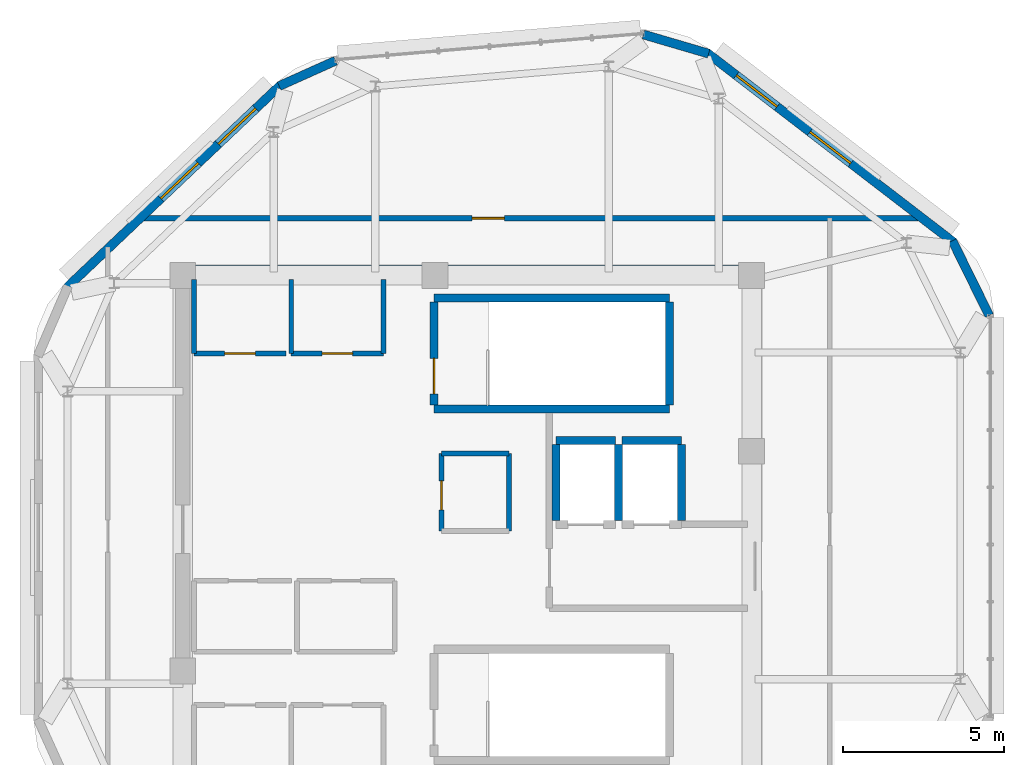
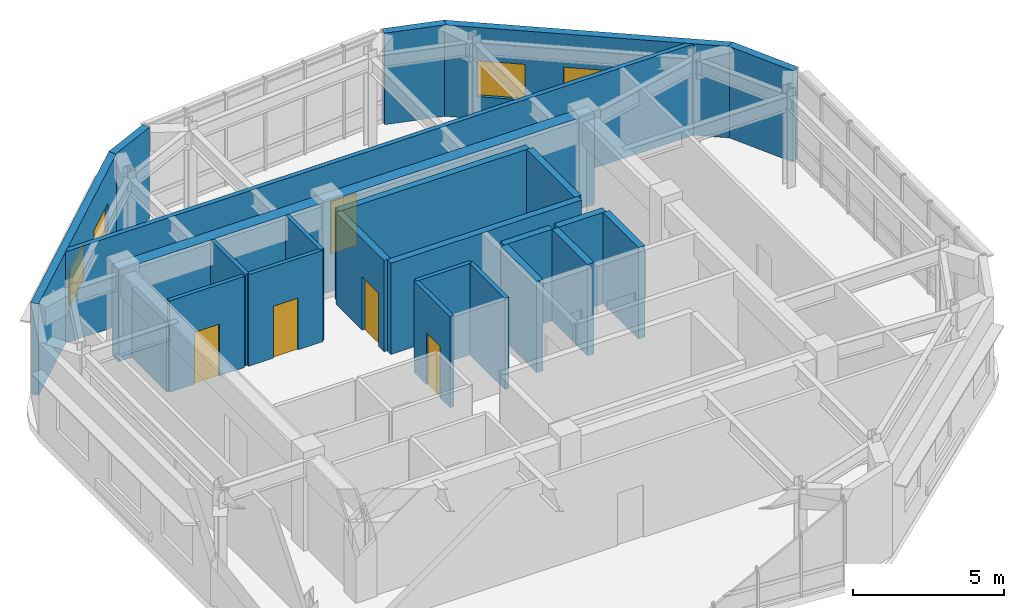
# One storey, part 12 of 13: 24 walls, 5 doors, 4 windows, 9 openings.
"""IFC4 building model written with IfcOpenShell, lengths in metres."""

from ifc_helpers import new_model, si_unit, direction, frame, frame_2d, origin, place, context, subcontext, project, spatial, rectangle, extrude, material, layer, layer_set, type_object, element, fill, save


model = new_model("IFC4")

# Units and contexts
model_context = context("Model", 3, precision=1e-05, world=origin(), true_north=direction((0.0, 1.0)))
body_context = subcontext(model_context, "Body", "Model", "MODEL_VIEW")
ifc_project = project(units=[si_unit("LENGTHUNIT", "METRE"), si_unit("AREAUNIT", "SQUARE_METRE"), si_unit("VOLUMEUNIT", "CUBIC_METRE"), si_unit("PLANEANGLEUNIT", "RADIAN"), si_unit("MASSUNIT", "GRAM", prefix="KILO")], contexts=[model_context])

# Site, building, storey
site_placement = place(None, origin())
site = spatial("IfcSite", under=ifc_project, at=site_placement, CompositionType="ELEMENT")
building_placement = place(site_placement, origin())
building = spatial("IfcBuilding", under=site, at=building_placement, Name="Zulverin Broadcast Headquarters", CompositionType="ELEMENT")
storey_placement = place(building_placement, frame((0.0, 0.0, 333.39990234375)))
storey = spatial("IfcBuildingStorey", under=building, at=storey_placement, Name="C6", CompositionType="ELEMENT", Elevation=333.39990234375)

# Wall
ifc_material_1 = material(Name="Concrete C50/60", Category="concrete")
ifc_layer_1 = layer(ifc_material_1, 0.449951171875, Name="Concrete C50/60", Category="concrete")
ifc_layer_set_1 = layer_set([ifc_layer_1], Name="Concrete C50/60")
wall_type_1 = type_object("IfcWallType", Name="WL-CORE-450", PredefinedType="SHEAR", material=ifc_layer_set_1)
wall_1_placement = place(storey_placement, frame((30.39990234375, 33.175048828125, 0.0), z_axis=(0.0, 0.0, 1.0), x_axis=(1.0, 0.0, 0.0)))
element("IfcWall", 1, at=wall_1_placement, inside=storey, type_object=wall_type_1, Name="C6 Core North Shear Wall", PredefinedType="SHEAR", context=body_context, shape_type="SweptSolid", body=[
    extrude(rectangle(XDim=18.2001953125, YDim=0.449951171875, at=frame_2d((9.10009765625, 0.0))), origin(), (0.0, 0.0, 1.0), 3.7001953125),
])

# Wall, openings, windows
ifc_material_2 = material(Name="Insulated pale-metal clad concrete spandrel C40/50", Category="concrete")
ifc_layer_2 = layer(ifc_material_2, 0.280029296875, Name="Insulated pale-metal clad concrete spandrel C40/50", Category="concrete")
ifc_layer_set_2 = layer_set([ifc_layer_2], Name="Insulated pale-metal clad concrete spandrel C40/50")
wall_type_2 = type_object("IfcWallType", Name="WL-EXT-280", PredefinedType="STANDARD", material=ifc_layer_set_2)
wall_2_placement = place(storey_placement, frame((54.542724609375, 34.101806640625, 0.0), z_axis=(0.0, 0.0, 1.0), x_axis=(-0.792926835332, 0.609316858302, 0.0)))
wall_2 = element("IfcWall", 2, at=wall_2_placement, inside=storey, type_object=wall_type_2, Name="C6 Pale-Metal Clad Spandrel Wall 4", PredefinedType="STANDARD", context=body_context, shape_type="SweptSolid", body=[
    extrude(rectangle(XDim=9.646728515625, YDim=0.280029296875, at=frame_2d((4.8232421875, 0.0))), origin(), (0.0, 0.0, 1.0), 3.7001953125),
])
opening_1_placement = place(wall_2_placement, frame((4.0234375, 0.0, 0.89990234375)))
opening_1 = element("IfcOpeningElement", 3, at=opening_1_placement, cuts=wall_2, Name="Opening W-C6-E41", PredefinedType="OPENING", context=body_context, shape_type="SweptSolid", body=[
    extrude(rectangle(XDim=1.60009765625, YDim=1.449951171875, at=frame_2d((0.800048828125, 0.72509765625))), frame((0.0, 0.14990234375, 0.0), z_axis=(0.0, -1.0, 0.0), x_axis=(1.0, 0.0, 0.0)), (0.0, 0.0, 1.0), 0.300048828125),
])
opening_2_placement = place(wall_2_placement, frame((6.90576171875, 0.0, 0.89990234375)))
opening_2 = element("IfcOpeningElement", 4, at=opening_2_placement, cuts=wall_2, Name="Opening W-C6-E42", PredefinedType="OPENING", context=body_context, shape_type="SweptSolid", body=[
    extrude(rectangle(XDim=1.60009765625, YDim=1.449951171875, at=frame_2d((0.800048828125, 0.72509765625))), frame((0.0, 0.14990234375, 0.0), z_axis=(0.0, -1.0, 0.0), x_axis=(1.0, 0.0, 0.0)), (0.0, 0.0, 1.0), 0.300048828125),
])
ifc_material_3 = material(Name="Pale anodized aluminium frame with solar-control low-E double glazing", Category="aluminium")
window_type = type_object("IfcWindowType", Name="WIN-CRN-1600", PartitioningType="SINGLE_PANEL", PredefinedType="WINDOW", material=ifc_material_3)
window_1_placement = place(opening_1_placement, origin())
window_1 = element("IfcWindow", 5, at=window_1_placement, inside=storey, type_object=window_type, Name="C6 Ribbon Glazing Window 4 1", OverallHeight=1.449951171875, OverallWidth=1.60009765625, PartitioningType="SINGLE_PANEL", PredefinedType="WINDOW", context=body_context, shape_type="SweptSolid", body=[
    extrude(rectangle(XDim=1.60009765625, YDim=1.449951171875, at=frame_2d((0.800048828125, 0.72509765625))), frame((0.0, 0.030029296875, 0.0), z_axis=(0.0, -1.0, 0.0), x_axis=(1.0, 0.0, 0.0)), (0.0, 0.0, 1.0), 0.06005859375),
])
fill(opening_1, window_1)
window_2_placement = place(opening_2_placement, origin())
window_2 = element("IfcWindow", 6, at=window_2_placement, inside=storey, type_object=window_type, Name="C6 Ribbon Glazing Window 4 2", OverallHeight=1.449951171875, OverallWidth=1.60009765625, PartitioningType="SINGLE_PANEL", PredefinedType="WINDOW", context=body_context, shape_type="SweptSolid", body=[
    extrude(rectangle(XDim=1.60009765625, YDim=1.449951171875, at=frame_2d((0.800048828125, 0.72509765625))), frame((0.0, 0.030029296875, 0.0), z_axis=(0.0, -1.0, 0.0), x_axis=(1.0, 0.0, 0.0)), (0.0, 0.0, 1.0), 0.06005859375),
])
fill(opening_2, window_2)

wall_3_placement = place(storey_placement, frame((33.654052734375, 38.97607421875, 0.0), z_axis=(0.0, 0.0, 1.0), x_axis=(-0.72588023988, -0.687821108539, 0.0)))
wall_3 = element("IfcWall", 7, at=wall_3_placement, inside=storey, type_object=wall_type_2, Name="C6 Pale-Metal Clad Spandrel Wall 6", PredefinedType="STANDARD", context=body_context, shape_type="SweptSolid", body=[
    extrude(rectangle(XDim=9.121826171875, YDim=0.280029296875, at=frame_2d((4.56103515625, 0.0))), origin(), (0.0, 0.0, 1.0), 3.7001953125),
])
opening_3_placement = place(wall_3_placement, frame((1.0537109375, 0.0, 0.89990234375)))
opening_3 = element("IfcOpeningElement", 8, at=opening_3_placement, cuts=wall_3, Name="Opening W-C6-E61", PredefinedType="OPENING", context=body_context, shape_type="SweptSolid", body=[
    extrude(rectangle(XDim=1.60009765625, YDim=1.449951171875, at=frame_2d((0.800048828125, 0.72509765625))), frame((0.0, 0.14990234375, 0.0), z_axis=(0.0, -1.0, 0.0), x_axis=(1.0, 0.0, 0.0)), (0.0, 0.0, 1.0), 0.300048828125),
])
opening_4_placement = place(wall_3_placement, frame((3.510986328125, 0.0, 0.89990234375)))
opening_4 = element("IfcOpeningElement", 9, at=opening_4_placement, cuts=wall_3, Name="Opening W-C6-E62", PredefinedType="OPENING", context=body_context, shape_type="SweptSolid", body=[
    extrude(rectangle(XDim=1.60009765625, YDim=1.449951171875, at=frame_2d((0.800048828125, 0.72509765625))), frame((0.0, 0.14990234375, 0.0), z_axis=(0.0, -1.0, 0.0), x_axis=(1.0, 0.0, 0.0)), (0.0, 0.0, 1.0), 0.300048828125),
])
window_3_placement = place(opening_3_placement, origin())
window_3 = element("IfcWindow", 10, at=window_3_placement, inside=storey, type_object=window_type, Name="C6 Ribbon Glazing Window 6 1", OverallHeight=1.449951171875, OverallWidth=1.60009765625, PartitioningType="SINGLE_PANEL", PredefinedType="WINDOW", context=body_context, shape_type="SweptSolid", body=[
    extrude(rectangle(XDim=1.60009765625, YDim=1.449951171875, at=frame_2d((0.800048828125, 0.72509765625))), frame((0.0, 0.030029296875, 0.0), z_axis=(0.0, -1.0, 0.0), x_axis=(1.0, 0.0, 0.0)), (0.0, 0.0, 1.0), 0.06005859375),
])
fill(opening_3, window_3)
window_4_placement = place(opening_4_placement, origin())
window_4 = element("IfcWindow", 11, at=window_4_placement, inside=storey, type_object=window_type, Name="C6 Ribbon Glazing Window 6 2", OverallHeight=1.449951171875, OverallWidth=1.60009765625, PartitioningType="SINGLE_PANEL", PredefinedType="WINDOW", context=body_context, shape_type="SweptSolid", body=[
    extrude(rectangle(XDim=1.60009765625, YDim=1.449951171875, at=frame_2d((0.800048828125, 0.72509765625))), frame((0.0, 0.030029296875, 0.0), z_axis=(0.0, -1.0, 0.0), x_axis=(1.0, 0.0, 0.0)), (0.0, 0.0, 1.0), 0.06005859375),
])
fill(opening_4, window_4)

# Walls
wall_4_placement = place(storey_placement, frame((55.645751953125, 31.830322265625, 0.0), z_axis=(0.0, 0.0, 1.0), x_axis=(-0.441958643377, 0.89703542714, 0.0)))
element("IfcWall", 12, at=wall_4_placement, inside=storey, type_object=wall_type_2, Name="C6 Wind-Shaped Corner Spandrel Wall 3-1", PredefinedType="STANDARD", context=body_context, shape_type="SweptSolid", body=[
    extrude(rectangle(XDim=2.5869140625, YDim=0.280029296875, at=frame_2d((1.29345703125, 0.0))), origin(), (0.0, 0.0, 1.0), 3.7001953125),
])
wall_5_placement = place(storey_placement, frame((46.939453125, 39.95654296875, 0.0), z_axis=(0.0, 0.0, 1.0), x_axis=(-0.959642034911, 0.28122440298, 0.0)))
element("IfcWall", 13, at=wall_5_placement, inside=storey, type_object=wall_type_2, Name="C6 Wind-Shaped Corner Spandrel Wall 4-1", PredefinedType="STANDARD", context=body_context, shape_type="SweptSolid", body=[
    extrude(rectangle(XDim=2.105224609375, YDim=0.280029296875, at=frame_2d((1.052734375, 0.0))), origin(), (0.0, 0.0, 1.0), 3.7001953125),
])
wall_6_placement = place(storey_placement, frame((35.364501953125, 39.73486328125, 0.0), z_axis=(0.0, 0.0, 1.0), x_axis=(-0.912383094529, -0.409337377744, 0.0)))
element("IfcWall", 14, at=wall_6_placement, inside=storey, type_object=wall_type_2, Name="C6 Wind-Shaped Corner Spandrel Wall 5-1", PredefinedType="STANDARD", context=body_context, shape_type="SweptSolid", body=[
    extrude(rectangle(XDim=1.91748046875, YDim=0.280029296875, at=frame_2d((0.958740234375, 0.0))), origin(), (0.0, 0.0, 1.0), 3.7001953125),
])

# Wall, opening, door
ifc_material_4 = material(Name="Fire-rated gypsum stud partition", Category="gypsum")
ifc_layer_3 = layer(ifc_material_4, 0.14990234375, Name="Fire-rated gypsum stud partition", Category="gypsum")
ifc_layer_set_3 = layer_set([ifc_layer_3], Name="Fire-rated gypsum stud partition")
wall_type_3 = type_object("IfcWallType", Name="WL-PART-150", PredefinedType="PARTITIONING", material=ifc_layer_set_3)
wall_7_placement = place(storey_placement, frame((30.969970703125, 30.64990234375, 0.0), z_axis=(0.0, 0.0, 1.0), x_axis=(1.0, 0.0, 0.0)))
wall_7 = element("IfcWall", 15, at=wall_7_placement, inside=storey, type_object=wall_type_3, Name="C6 Core Male WC Front Wall", PredefinedType="PARTITIONING", context=body_context, shape_type="SweptSolid", body=[
    extrude(rectangle(XDim=2.860107421875, YDim=0.14990234375, at=frame_2d((1.43017578125, 0.0))), origin(), (0.0, 0.0, 1.0), 3.7001953125),
])
opening_5_placement = place(wall_7_placement, frame((0.955078125, 0.0, 0.0)))
opening_5 = element("IfcOpeningElement", 16, at=opening_5_placement, cuts=wall_7, Name="Opening D-C6-NC1", PredefinedType="OPENING", context=body_context, shape_type="SweptSolid", body=[
    extrude(rectangle(XDim=0.949951171875, YDim=2.10009765625, at=frame_2d((0.47509765625, 1.050048828125))), frame((0.0, 0.0849609375, 0.0), z_axis=(0.0, -1.0, 0.0), x_axis=(1.0, 0.0, 0.0)), (0.0, 0.0, 1.0), 0.169921875),
])
ifc_material_5 = material(Name="Fire-rated moisture-resistant laminate leaf", Category="wood")
door_type_1 = type_object("IfcDoorType", Name="DR-WC-950", OperationType="SINGLE_SWING_LEFT", PredefinedType="DOOR", material=ifc_material_5)
door_1_placement = place(opening_5_placement, origin())
door_1 = element("IfcDoor", 17, at=door_1_placement, inside=storey, type_object=door_type_1, Name="C6 Male WC Door", OperationType="SINGLE_SWING_RIGHT", OverallHeight=2.10009765625, OverallWidth=0.949951171875, PredefinedType="DOOR", context=body_context, shape_type="SweptSolid", body=[
    extrude(rectangle(XDim=0.949951171875, YDim=2.10009765625, at=frame_2d((0.47509765625, 1.050048828125))), frame((0.0, 0.02490234375, 0.0), z_axis=(0.0, -1.0, 0.0), x_axis=(1.0, 0.0, 0.0)), (0.0, 0.0, 1.0), 0.050048828125),
])
fill(opening_5, door_1)

# Wall
wall_8_placement = place(storey_placement, frame((30.969970703125, 30.64990234375, 0.0), z_axis=(0.0, 0.0, 1.0), x_axis=(0.0, 1.0, 0.0)))
element("IfcWall", 18, at=wall_8_placement, inside=storey, type_object=wall_type_3, Name="C6 Core Male WC West Wall", PredefinedType="PARTITIONING", context=body_context, shape_type="SweptSolid", body=[
    extrude(rectangle(XDim=2.300048828125, YDim=0.14990234375, at=frame_2d((1.14990234375, 0.0))), origin(), (0.0, 0.0, 1.0), 2.800048828125),
])

# Wall, opening, door
wall_9_placement = place(storey_placement, frame((33.989990234375, 30.64990234375, 0.0), z_axis=(0.0, 0.0, 1.0), x_axis=(1.0, 0.0, 0.0)))
wall_9 = element("IfcWall", 19, at=wall_9_placement, inside=storey, type_object=wall_type_3, Name="C6 Core Accessible WC Front Wall", PredefinedType="PARTITIONING", context=body_context, shape_type="SweptSolid", body=[
    extrude(rectangle(XDim=2.860107421875, YDim=0.14990234375, at=frame_2d((1.43017578125, 0.0))), origin(), (0.0, 0.0, 1.0), 3.7001953125),
])
opening_6_placement = place(wall_9_placement, frame((0.955078125, 0.0, 0.0)))
opening_6 = element("IfcOpeningElement", 20, at=opening_6_placement, cuts=wall_9, Name="Opening D-C6-NC2", PredefinedType="OPENING", context=body_context, shape_type="SweptSolid", body=[
    extrude(rectangle(XDim=0.949951171875, YDim=2.10009765625, at=frame_2d((0.47509765625, 1.050048828125))), frame((0.0, 0.0849609375, 0.0), z_axis=(0.0, -1.0, 0.0), x_axis=(1.0, 0.0, 0.0)), (0.0, 0.0, 1.0), 0.169921875),
])
door_2_placement = place(opening_6_placement, origin())
door_2 = element("IfcDoor", 21, at=door_2_placement, inside=storey, type_object=door_type_1, Name="C6 Accessible WC Door", OperationType="SINGLE_SWING_LEFT", OverallHeight=2.10009765625, OverallWidth=0.949951171875, PredefinedType="DOOR", context=body_context, shape_type="SweptSolid", body=[
    extrude(rectangle(XDim=0.949951171875, YDim=2.10009765625, at=frame_2d((0.47509765625, 1.050048828125))), frame((0.0, 0.02490234375, 0.0), z_axis=(0.0, -1.0, 0.0), x_axis=(1.0, 0.0, 0.0)), (0.0, 0.0, 1.0), 0.050048828125),
])
fill(opening_6, door_2)

# Walls
for number, where, z_axis, x_axis, name in (
    (22, (33.989990234375, 30.64990234375, 0.0), (0.0, 0.0, 1.0), (0.0, 1.0, 0.0), "C6 Core Accessible WC West Wall"),
    (23, (36.85009765625, 30.64990234375, 0.0), (0.0, 0.0, 1.0), (0.0, 1.0, 0.0), "C6 Core Accessible WC East Wall"),
):
    element("IfcWall", number, at=place(storey_placement, frame(where, z_axis=z_axis, x_axis=x_axis)), inside=storey, type_object=wall_type_3, Name=name, PredefinedType="PARTITIONING", context=body_context, shape_type="SweptSolid", body=[
        extrude(rectangle(XDim=2.300048828125, YDim=0.14990234375, at=frame_2d((1.14990234375, 0.0))), origin(), (0.0, 0.0, 1.0), 3.7001953125),
    ])
wall_10_placement = place(storey_placement, frame((38.64990234375, 27.550048828125, 0.0), z_axis=(0.0, 0.0, 1.0), x_axis=(1.0, 0.0, 0.0)))
element("IfcWall", 24, at=wall_10_placement, inside=storey, type_object=wall_type_3, Name="C6 Link Plant N Wall", PredefinedType="PARTITIONING", context=body_context, shape_type="SweptSolid", body=[
    extrude(rectangle(XDim=2.10009765625, YDim=0.14990234375, at=frame_2d((1.050048828125, 0.0))), origin(), (0.0, 0.0, 1.0), 3.7001953125),
])

# Wall, opening, door
wall_11_placement = place(storey_placement, frame((38.64990234375, 25.14990234375, 0.0), z_axis=(0.0, 0.0, 1.0), x_axis=(0.0, 1.0, 0.0)))
wall_11 = element("IfcWall", 25, at=wall_11_placement, inside=storey, type_object=wall_type_3, Name="C6 Link Plant W Wall", PredefinedType="PARTITIONING", context=body_context, shape_type="SweptSolid", body=[
    extrude(rectangle(XDim=2.400146484375, YDim=0.14990234375, at=frame_2d((1.2001953125, 0.0))), origin(), (0.0, 0.0, 1.0), 3.7001953125),
])
opening_7_placement = place(wall_11_placement, frame((0.64990234375, 0.0, 0.0)))
opening_7 = element("IfcOpeningElement", 26, at=opening_7_placement, cuts=wall_11, Name="Opening D-C6-RCSV", PredefinedType="OPENING", context=body_context, shape_type="SweptSolid", body=[
    extrude(rectangle(XDim=0.89990234375, YDim=2.10009765625, at=frame_2d((0.449951171875, 1.050048828125))), frame((0.0, 0.0849609375, 0.0), z_axis=(0.0, -1.0, 0.0), x_axis=(1.0, 0.0, 0.0)), (0.0, 0.0, 1.0), 0.169921875),
])
ifc_material_6 = material(Name="Powder-coated steel access leaf", Category="steel")
door_type_2 = type_object("IfcDoorType", Name="DR-RISER-900", OperationType="SINGLE_SWING_LEFT", PredefinedType="DOOR", material=ifc_material_6)
door_3_placement = place(opening_7_placement, origin())
door_3 = element("IfcDoor", 27, at=door_3_placement, inside=storey, type_object=door_type_2, Name="C6 Link Telemetry Plant Door", OperationType="SINGLE_SWING_RIGHT", OverallHeight=2.10009765625, OverallWidth=0.89990234375, PredefinedType="DOOR", context=body_context, shape_type="SweptSolid", body=[
    extrude(rectangle(XDim=0.89990234375, YDim=2.10009765625, at=frame_2d((0.449951171875, 1.050048828125))), frame((0.0, 0.02490234375, 0.0), z_axis=(0.0, -1.0, 0.0), x_axis=(1.0, 0.0, 0.0)), (0.0, 0.0, 1.0), 0.050048828125),
])
fill(opening_7, door_3)

# Wall
wall_12_placement = place(storey_placement, frame((40.75, 25.14990234375, 0.0), z_axis=(0.0, 0.0, 1.0), x_axis=(0.0, 1.0, 0.0)))
element("IfcWall", 28, at=wall_12_placement, inside=storey, type_object=wall_type_3, Name="C6 Link Plant E Wall", PredefinedType="PARTITIONING", context=body_context, shape_type="SweptSolid", body=[
    extrude(rectangle(XDim=2.400146484375, YDim=0.14990234375, at=frame_2d((1.2001953125, 0.0))), origin(), (0.0, 0.0, 1.0), 3.7001953125),
])

# Wall, opening, door
ifc_material_7 = material(Name="Fire-rated acoustic stud wall", Category="gypsum")
ifc_layer_4 = layer(ifc_material_7, 0.175048828125, Name="Fire-rated acoustic stud wall", Category="gypsum")
ifc_layer_set_4 = layer_set([ifc_layer_4], Name="Fire-rated acoustic stud wall")
wall_type_4 = type_object("IfcWallType", Name="WL-PART-175", PredefinedType="PARTITIONING", material=ifc_layer_set_4)
wall_13_placement = place(storey_placement, frame((29.236328125, 34.85009765625, 0.0), z_axis=(0.0, 0.0, 1.0), x_axis=(1.0, 0.0, 0.0)))
wall_13 = element("IfcWall", 29, at=wall_13_placement, inside=storey, type_object=wall_type_4, Name="C6 Gallery Partition Wall CG-04", PredefinedType="PARTITIONING", context=body_context, shape_type="SweptSolid", body=[
    extrude(rectangle(XDim=24.42236328125, YDim=0.175048828125, at=frame_2d((12.211181640625, 0.0))), origin(), (0.0, 0.0, 1.0), 3.7001953125),
])
opening_8_placement = place(wall_13_placement, frame((10.365478515625, 0.0, 0.0)))
opening_8 = element("IfcOpeningElement", 30, at=opening_8_placement, cuts=wall_13, Name="Opening D-C6-CR3", PredefinedType="OPENING", context=body_context, shape_type="SweptSolid", body=[
    extrude(rectangle(XDim=1.0, YDim=2.1201171875, at=frame_2d((0.5, 1.06005859375))), frame((0.0, 0.097412109375, 0.0), z_axis=(0.0, -1.0, 0.0), x_axis=(1.0, 0.0, 0.0)), (0.0, 0.0, 1.0), 0.195068359375),
])
ifc_material_8 = material(Name="Hardwood veneer acoustic leaf", Category="wood")
door_type_3 = type_object("IfcDoorType", Name="DR-OFF-1000", OperationType="SINGLE_SWING_LEFT", PredefinedType="DOOR", material=ifc_material_8)
door_4_placement = place(opening_8_placement, origin())
door_4 = element("IfcDoor", 31, at=door_4_placement, inside=storey, type_object=door_type_3, Name="C6 Crown Cooling & Chiller Plant Room Door", OperationType="SINGLE_SWING_LEFT", OverallHeight=2.1201171875, OverallWidth=1.0, PredefinedType="DOOR", context=body_context, shape_type="SweptSolid", body=[
    extrude(rectangle(XDim=1.0, YDim=2.1201171875, at=frame_2d((0.5, 1.06005859375))), frame((0.0, 0.02490234375, 0.0), z_axis=(0.0, -1.0, 0.0), x_axis=(1.0, 0.0, 0.0)), (0.0, 0.0, 1.0), 0.050048828125),
])
fill(opening_8, door_4)

# Walls
ifc_layer_5 = layer(ifc_material_1, 0.25, Name="Concrete C50/60", Category="concrete")
ifc_layer_set_5 = layer_set([ifc_layer_5], Name="Concrete C50/60")
wall_type_5 = type_object("IfcWallType", Name="WL-SHAFT-250", PredefinedType="SHEAR", material=ifc_layer_set_5)
for number, where, z_axis, x_axis, name in (
    (32, (38.425048828125, 28.925048828125, 0.0), (0.0, 0.0, 1.0), (1.0, 0.0, 0.0), "C6 ST-1 Enclosure Wall S"),
    (33, (38.425048828125, 32.375, 0.0), (0.0, 0.0, 1.0), (1.0, 0.0, 0.0), "C6 ST-1 Enclosure Wall N"),
):
    element("IfcWall", number, at=place(storey_placement, frame(where, z_axis=z_axis, x_axis=x_axis)), inside=storey, type_object=wall_type_5, Name=name, PredefinedType="SHEAR", context=body_context, shape_type="SweptSolid", body=[
        extrude(rectangle(XDim=7.300048828125, YDim=0.25, at=frame_2d((3.64990234375, 0.0))), origin(), (0.0, 0.0, 1.0), 3.7001953125),
    ])

# Wall, opening, door
wall_14_placement = place(storey_placement, frame((38.425048828125, 29.050048828125, 0.0), z_axis=(0.0, 0.0, 1.0), x_axis=(0.0, 1.0, 0.0)))
wall_14 = element("IfcWall", 34, at=wall_14_placement, inside=storey, type_object=wall_type_5, Name="C6 ST-1 Enclosure Wall W", PredefinedType="SHEAR", context=body_context, shape_type="SweptSolid", body=[
    extrude(rectangle(XDim=3.199951171875, YDim=0.25, at=frame_2d((1.60009765625, 0.0))), origin(), (0.0, 0.0, 1.0), 3.7001953125),
])
opening_9_placement = place(wall_14_placement, frame((0.35009765625, 0.0, 0.0)))
opening_9 = element("IfcOpeningElement", 35, at=opening_9_placement, cuts=wall_14, Name="Opening D-C6-ST-1", PredefinedType="OPENING", context=body_context, shape_type="SweptSolid", body=[
    extrude(rectangle(XDim=1.10009765625, YDim=2.14990234375, at=frame_2d((0.550048828125, 1.074951171875))), frame((0.0, 0.135009765625, 0.0), z_axis=(0.0, -1.0, 0.0), x_axis=(1.0, 0.0, 0.0)), (0.0, 0.0, 1.0), 0.27001953125),
])
ifc_material_9 = material(Name="Fire-rated steel leaf and frame", Category="steel")
door_type_4 = type_object("IfcDoorType", Name="DR-STAIR-1100", OperationType="SINGLE_SWING_LEFT", PredefinedType="DOOR", material=ifc_material_9)
door_5_placement = place(opening_9_placement, origin())
door_5 = element("IfcDoor", 36, at=door_5_placement, inside=storey, type_object=door_type_4, Name="C6 Exit Stair ST-1 Fire Door", OperationType="SINGLE_SWING_LEFT", OverallHeight=2.14990234375, OverallWidth=1.10009765625, PredefinedType="DOOR", context=body_context, shape_type="SweptSolid", body=[
    extrude(rectangle(XDim=1.10009765625, YDim=2.14990234375, at=frame_2d((0.550048828125, 1.074951171875))), frame((0.0, 0.02490234375, 0.0), z_axis=(0.0, -1.0, 0.0), x_axis=(1.0, 0.0, 0.0)), (0.0, 0.0, 1.0), 0.050048828125),
])
fill(opening_9, door_5)

# Walls
wall_15_placement = place(storey_placement, frame((45.72509765625, 29.050048828125, 0.0), z_axis=(0.0, 0.0, 1.0), x_axis=(0.0, 1.0, 0.0)))
element("IfcWall", 37, at=wall_15_placement, inside=storey, type_object=wall_type_5, Name="C6 ST-1 Enclosure Wall E", PredefinedType="SHEAR", context=body_context, shape_type="SweptSolid", body=[
    extrude(rectangle(XDim=3.199951171875, YDim=0.25, at=frame_2d((1.60009765625, 0.0))), origin(), (0.0, 0.0, 1.0), 3.7001953125),
])
wall_16_placement = place(storey_placement, frame((42.199951171875, 27.949951171875, 0.0), z_axis=(0.0, 0.0, 1.0), x_axis=(1.0, 0.0, 0.0)))
element("IfcWall", 38, at=wall_16_placement, inside=storey, type_object=wall_type_5, Name="C6 Lift FFL-1 Shaft Wall N", PredefinedType="SHEAR", context=body_context, shape_type="SweptSolid", body=[
    extrude(rectangle(XDim=1.85009765625, YDim=0.25, at=frame_2d((0.925048828125, 0.0))), origin(), (0.0, 0.0, 1.0), 3.7001953125),
])
for number, where, z_axis, x_axis, name in (
    (39, (42.199951171875, 25.469970703125, 0.0), (0.0, 0.0, 1.0), (0.0, 1.0, 0.0), "C6 Lift FFL-1 Shaft Wall W"),
    (40, (44.14990234375, 25.469970703125, 0.0), (0.0, 0.0, 1.0), (0.0, 1.0, 0.0), "C6 Lift FFL-1 Shaft Wall E"),
):
    element("IfcWall", number, at=place(storey_placement, frame(where, z_axis=z_axis, x_axis=x_axis)), inside=storey, type_object=wall_type_5, Name=name, PredefinedType="SHEAR", context=body_context, shape_type="SweptSolid", body=[
        extrude(rectangle(XDim=2.360107421875, YDim=0.25, at=frame_2d((1.18017578125, 0.0))), origin(), (0.0, 0.0, 1.0), 3.7001953125),
    ])
wall_17_placement = place(storey_placement, frame((44.25, 27.949951171875, 0.0), z_axis=(0.0, 0.0, 1.0), x_axis=(1.0, 0.0, 0.0)))
element("IfcWall", 41, at=wall_17_placement, inside=storey, type_object=wall_type_5, Name="C6 Lift FFL-2 Shaft Wall N", PredefinedType="SHEAR", context=body_context, shape_type="SweptSolid", body=[
    extrude(rectangle(XDim=1.85009765625, YDim=0.25, at=frame_2d((0.925048828125, 0.0))), origin(), (0.0, 0.0, 1.0), 3.7001953125),
])
wall_18_placement = place(storey_placement, frame((46.10009765625, 25.469970703125, 0.0), z_axis=(0.0, 0.0, 1.0), x_axis=(0.0, 1.0, 0.0)))
element("IfcWall", 42, at=wall_18_placement, inside=storey, type_object=wall_type_5, Name="C6 Lift FFL-2 Shaft Wall E", PredefinedType="SHEAR", context=body_context, shape_type="SweptSolid", body=[
    extrude(rectangle(XDim=2.360107421875, YDim=0.25, at=frame_2d((1.18017578125, 0.0))), origin(), (0.0, 0.0, 1.0), 3.7001953125),
])

save(model, "model.ifc")
